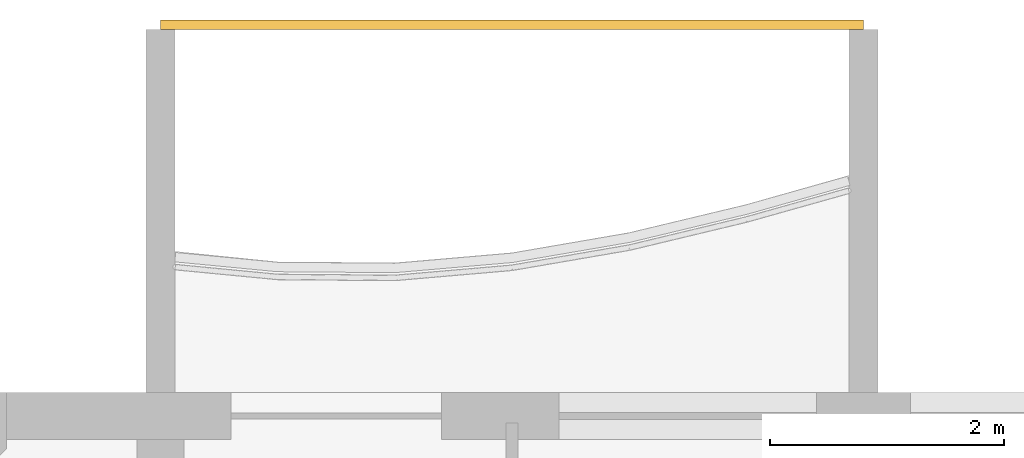
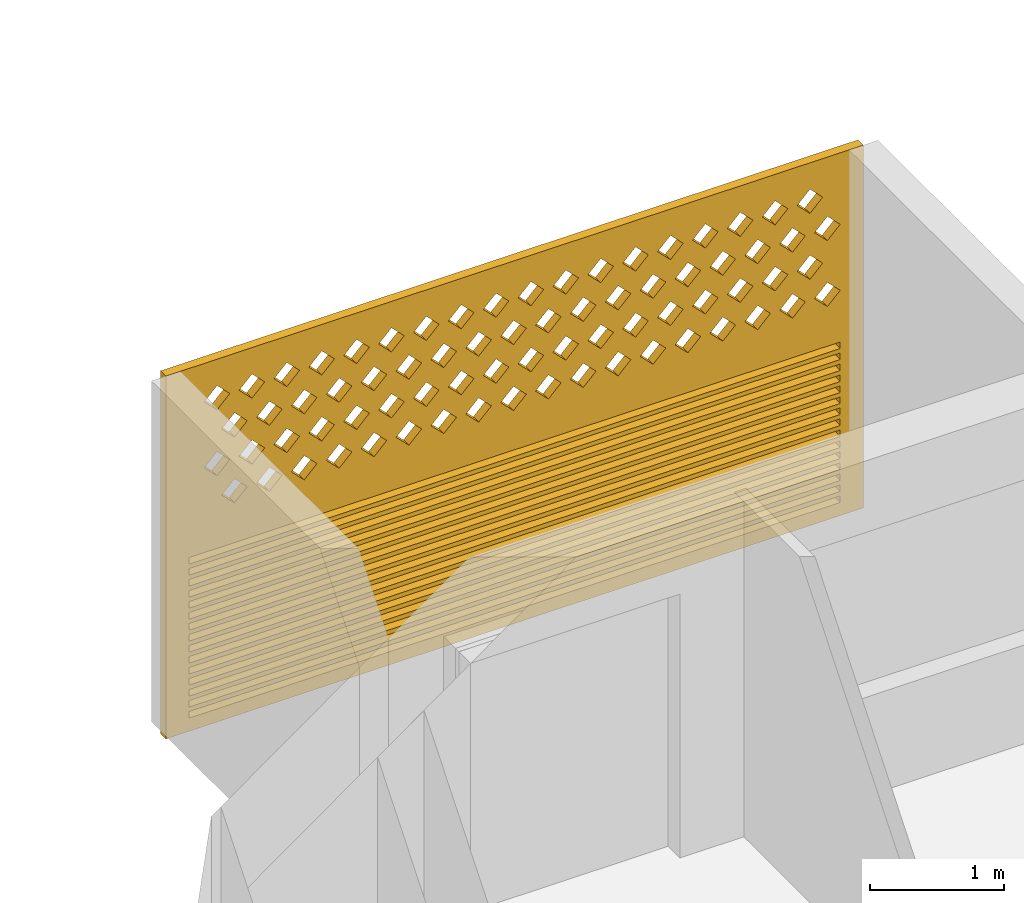
# One storey, part 21 of 38: 1 covering.
"""IFC4 building model written with IfcOpenShell, lengths in metres."""

from ifc_helpers import new_model, si_unit, direction, frame, origin, place, context, subcontext, project, spatial, polyline, outline, extrude, source, transform, mapped, material, material_profile, profile_set, type_object, element, save


model = new_model("IFC4")

# Units and contexts
model_context = context("Model", 3, precision=1e-05, world=origin(), true_north=direction((0.0, 1.0)))
body_context = subcontext(model_context, "Body", "Model", "MODEL_VIEW")
ifc_project = project(units=[si_unit("LENGTHUNIT", "METRE"), si_unit("AREAUNIT", "SQUARE_METRE"), si_unit("VOLUMEUNIT", "CUBIC_METRE"), si_unit("PLANEANGLEUNIT", "RADIAN"), si_unit("MASSUNIT", "GRAM", prefix="KILO")], contexts=[model_context])

# Site, building, storey
site_placement = place(None, origin())
site = spatial("IfcSite", under=ifc_project, at=site_placement, CompositionType="ELEMENT")
building_placement = place(site_placement, origin())
building = spatial("IfcBuilding", under=site, at=building_placement, Name="Poui Terraces", CompositionType="ELEMENT")
storey_placement = place(building_placement, frame((0.0, 0.0, 46.5)))
storey = spatial("IfcBuildingStorey", under=building, at=storey_placement, Name="L12", CompositionType="ELEMENT", Elevation=46.5)

# Covering
ifc_material = material(Name="Terracotta screen", Category="masonry")
ifc_material_profile = material_profile(ifc_material, outline(polyline([(-3.0, -1.64990234375), (3.0, -1.64990234375), (3.0, 1.64990234375), (-3.0, 1.64990234375), (-3.0, -1.64990234375)]), holes=[polyline([(-2.800048828125, 0.39990234375), (-2.68994140625, 0.2900390625), (-2.580078125, 0.39990234375), (-2.68994140625, 0.510009765625), (-2.800048828125, 0.39990234375)]), polyline([(-2.5, 0.39990234375), (-2.389892578125, 0.2900390625), (-2.280029296875, 0.39990234375), (-2.389892578125, 0.510009765625), (-2.5, 0.39990234375)]), polyline([(-2.199951171875, 0.39990234375), (-2.090087890625, 0.2900390625), (-1.97998046875, 0.39990234375), (-2.090087890625, 0.510009765625), (-2.199951171875, 0.39990234375)]), polyline([(-1.89990234375, 0.39990234375), (-1.7900390625, 0.2900390625), (-1.679931640625, 0.39990234375), (-1.7900390625, 0.510009765625), (-1.89990234375, 0.39990234375)]), polyline([(-1.60009765625, 0.39990234375), (-1.489990234375, 0.2900390625), (-1.3798828125, 0.39990234375), (-1.489990234375, 0.510009765625), (-1.60009765625, 0.39990234375)]), polyline([(-1.300048828125, 0.39990234375), (-1.18994140625, 0.2900390625), (-1.080078125, 0.39990234375), (-1.18994140625, 0.510009765625), (-1.300048828125, 0.39990234375)]), polyline([(-1.0, 0.39990234375), (-0.889892578125, 0.2900390625), (-0.780029296875, 0.39990234375), (-0.889892578125, 0.510009765625), (-1.0, 0.39990234375)]), polyline([(-0.699951171875, 0.39990234375), (-0.590087890625, 0.2900390625), (-0.47998046875, 0.39990234375), (-0.590087890625, 0.510009765625), (-0.699951171875, 0.39990234375)]), polyline([(-0.39990234375, 0.39990234375), (-0.2900390625, 0.2900390625), (-0.179931640625, 0.39990234375), (-0.2900390625, 0.510009765625), (-0.39990234375, 0.39990234375)]), polyline([(-0.10009765625, 0.39990234375), (0.010009765625, 0.2900390625), (0.1201171875, 0.39990234375), (0.010009765625, 0.510009765625), (-0.10009765625, 0.39990234375)]), polyline([(0.199951171875, 0.39990234375), (0.31005859375, 0.2900390625), (0.419921875, 0.39990234375), (0.31005859375, 0.510009765625), (0.199951171875, 0.39990234375)]), polyline([(0.5, 0.39990234375), (0.610107421875, 0.2900390625), (0.719970703125, 0.39990234375), (0.610107421875, 0.510009765625), (0.5, 0.39990234375)]), polyline([(0.800048828125, 0.39990234375), (0.909912109375, 0.2900390625), (1.02001953125, 0.39990234375), (0.909912109375, 0.510009765625), (0.800048828125, 0.39990234375)]), polyline([(1.10009765625, 0.39990234375), (1.2099609375, 0.2900390625), (1.320068359375, 0.39990234375), (1.2099609375, 0.510009765625), (1.10009765625, 0.39990234375)]), polyline([(1.39990234375, 0.39990234375), (1.510009765625, 0.2900390625), (1.6201171875, 0.39990234375), (1.510009765625, 0.510009765625), (1.39990234375, 0.39990234375)]), polyline([(1.699951171875, 0.39990234375), (1.81005859375, 0.2900390625), (1.919921875, 0.39990234375), (1.81005859375, 0.510009765625), (1.699951171875, 0.39990234375)]), polyline([(2.0, 0.39990234375), (2.110107421875, 0.2900390625), (2.219970703125, 0.39990234375), (2.110107421875, 0.510009765625), (2.0, 0.39990234375)]), polyline([(2.300048828125, 0.39990234375), (2.409912109375, 0.2900390625), (2.52001953125, 0.39990234375), (2.409912109375, 0.510009765625), (2.300048828125, 0.39990234375)]), polyline([(-2.64990234375, 0.699951171875), (-2.5400390625, 0.590087890625), (-2.429931640625, 0.699951171875), (-2.5400390625, 0.81005859375), (-2.64990234375, 0.699951171875)]), polyline([(-2.35009765625, 0.699951171875), (-2.239990234375, 0.590087890625), (-2.1298828125, 0.699951171875), (-2.239990234375, 0.81005859375), (-2.35009765625, 0.699951171875)]), polyline([(-2.050048828125, 0.699951171875), (-1.93994140625, 0.590087890625), (-1.830078125, 0.699951171875), (-1.93994140625, 0.81005859375), (-2.050048828125, 0.699951171875)]), polyline([(-1.75, 0.699951171875), (-1.639892578125, 0.590087890625), (-1.530029296875, 0.699951171875), (-1.639892578125, 0.81005859375), (-1.75, 0.699951171875)]), polyline([(-1.449951171875, 0.699951171875), (-1.340087890625, 0.590087890625), (-1.22998046875, 0.699951171875), (-1.340087890625, 0.81005859375), (-1.449951171875, 0.699951171875)]), polyline([(-1.14990234375, 0.699951171875), (-1.0400390625, 0.590087890625), (-0.929931640625, 0.699951171875), (-1.0400390625, 0.81005859375), (-1.14990234375, 0.699951171875)]), polyline([(-0.85009765625, 0.699951171875), (-0.739990234375, 0.590087890625), (-0.6298828125, 0.699951171875), (-0.739990234375, 0.81005859375), (-0.85009765625, 0.699951171875)]), polyline([(-0.550048828125, 0.699951171875), (-0.43994140625, 0.590087890625), (-0.330078125, 0.699951171875), (-0.43994140625, 0.81005859375), (-0.550048828125, 0.699951171875)]), polyline([(-0.25, 0.699951171875), (-0.139892578125, 0.590087890625), (-0.030029296875, 0.699951171875), (-0.139892578125, 0.81005859375), (-0.25, 0.699951171875)]), polyline([(0.050048828125, 0.699951171875), (0.159912109375, 0.590087890625), (0.27001953125, 0.699951171875), (0.159912109375, 0.81005859375), (0.050048828125, 0.699951171875)]), polyline([(0.35009765625, 0.699951171875), (0.4599609375, 0.590087890625), (0.570068359375, 0.699951171875), (0.4599609375, 0.81005859375), (0.35009765625, 0.699951171875)]), polyline([(0.64990234375, 0.699951171875), (0.760009765625, 0.590087890625), (0.8701171875, 0.699951171875), (0.760009765625, 0.81005859375), (0.64990234375, 0.699951171875)]), polyline([(0.949951171875, 0.699951171875), (1.06005859375, 0.590087890625), (1.169921875, 0.699951171875), (1.06005859375, 0.81005859375), (0.949951171875, 0.699951171875)]), polyline([(1.25, 0.699951171875), (1.360107421875, 0.590087890625), (1.469970703125, 0.699951171875), (1.360107421875, 0.81005859375), (1.25, 0.699951171875)]), polyline([(1.550048828125, 0.699951171875), (1.659912109375, 0.590087890625), (1.77001953125, 0.699951171875), (1.659912109375, 0.81005859375), (1.550048828125, 0.699951171875)]), polyline([(1.85009765625, 0.699951171875), (1.9599609375, 0.590087890625), (2.070068359375, 0.699951171875), (1.9599609375, 0.81005859375), (1.85009765625, 0.699951171875)]), polyline([(2.14990234375, 0.699951171875), (2.260009765625, 0.590087890625), (2.3701171875, 0.699951171875), (2.260009765625, 0.81005859375), (2.14990234375, 0.699951171875)]), polyline([(2.449951171875, 0.699951171875), (2.56005859375, 0.590087890625), (2.669921875, 0.699951171875), (2.56005859375, 0.81005859375), (2.449951171875, 0.699951171875)]), polyline([(-2.800048828125, 1.0), (-2.68994140625, 0.889892578125), (-2.580078125, 1.0), (-2.68994140625, 1.110107421875), (-2.800048828125, 1.0)]), polyline([(-2.5, 1.0), (-2.389892578125, 0.889892578125), (-2.280029296875, 1.0), (-2.389892578125, 1.110107421875), (-2.5, 1.0)]), polyline([(-2.199951171875, 1.0), (-2.090087890625, 0.889892578125), (-1.97998046875, 1.0), (-2.090087890625, 1.110107421875), (-2.199951171875, 1.0)]), polyline([(-1.89990234375, 1.0), (-1.7900390625, 0.889892578125), (-1.679931640625, 1.0), (-1.7900390625, 1.110107421875), (-1.89990234375, 1.0)]), polyline([(-1.60009765625, 1.0), (-1.489990234375, 0.889892578125), (-1.3798828125, 1.0), (-1.489990234375, 1.110107421875), (-1.60009765625, 1.0)]), polyline([(-1.300048828125, 1.0), (-1.18994140625, 0.889892578125), (-1.080078125, 1.0), (-1.18994140625, 1.110107421875), (-1.300048828125, 1.0)]), polyline([(-1.0, 1.0), (-0.889892578125, 0.889892578125), (-0.780029296875, 1.0), (-0.889892578125, 1.110107421875), (-1.0, 1.0)]), polyline([(-0.699951171875, 1.0), (-0.590087890625, 0.889892578125), (-0.47998046875, 1.0), (-0.590087890625, 1.110107421875), (-0.699951171875, 1.0)]), polyline([(-0.39990234375, 1.0), (-0.2900390625, 0.889892578125), (-0.179931640625, 1.0), (-0.2900390625, 1.110107421875), (-0.39990234375, 1.0)]), polyline([(-0.10009765625, 1.0), (0.010009765625, 0.889892578125), (0.1201171875, 1.0), (0.010009765625, 1.110107421875), (-0.10009765625, 1.0)]), polyline([(0.199951171875, 1.0), (0.31005859375, 0.889892578125), (0.419921875, 1.0), (0.31005859375, 1.110107421875), (0.199951171875, 1.0)]), polyline([(0.5, 1.0), (0.610107421875, 0.889892578125), (0.719970703125, 1.0), (0.610107421875, 1.110107421875), (0.5, 1.0)]), polyline([(0.800048828125, 1.0), (0.909912109375, 0.889892578125), (1.02001953125, 1.0), (0.909912109375, 1.110107421875), (0.800048828125, 1.0)]), polyline([(1.10009765625, 1.0), (1.2099609375, 0.889892578125), (1.320068359375, 1.0), (1.2099609375, 1.110107421875), (1.10009765625, 1.0)]), polyline([(1.39990234375, 1.0), (1.510009765625, 0.889892578125), (1.6201171875, 1.0), (1.510009765625, 1.110107421875), (1.39990234375, 1.0)]), polyline([(1.699951171875, 1.0), (1.81005859375, 0.889892578125), (1.919921875, 1.0), (1.81005859375, 1.110107421875), (1.699951171875, 1.0)]), polyline([(2.0, 1.0), (2.110107421875, 0.889892578125), (2.219970703125, 1.0), (2.110107421875, 1.110107421875), (2.0, 1.0)]), polyline([(2.300048828125, 1.0), (2.409912109375, 0.889892578125), (2.52001953125, 1.0), (2.409912109375, 1.110107421875), (2.300048828125, 1.0)]), polyline([(-2.64990234375, 1.300048828125), (-2.5400390625, 1.18994140625), (-2.429931640625, 1.300048828125), (-2.5400390625, 1.409912109375), (-2.64990234375, 1.300048828125)]), polyline([(-2.35009765625, 1.300048828125), (-2.239990234375, 1.18994140625), (-2.1298828125, 1.300048828125), (-2.239990234375, 1.409912109375), (-2.35009765625, 1.300048828125)]), polyline([(-2.050048828125, 1.300048828125), (-1.93994140625, 1.18994140625), (-1.830078125, 1.300048828125), (-1.93994140625, 1.409912109375), (-2.050048828125, 1.300048828125)]), polyline([(-1.75, 1.300048828125), (-1.639892578125, 1.18994140625), (-1.530029296875, 1.300048828125), (-1.639892578125, 1.409912109375), (-1.75, 1.300048828125)]), polyline([(-1.449951171875, 1.300048828125), (-1.340087890625, 1.18994140625), (-1.22998046875, 1.300048828125), (-1.340087890625, 1.409912109375), (-1.449951171875, 1.300048828125)]), polyline([(-1.14990234375, 1.300048828125), (-1.0400390625, 1.18994140625), (-0.929931640625, 1.300048828125), (-1.0400390625, 1.409912109375), (-1.14990234375, 1.300048828125)]), polyline([(-0.85009765625, 1.300048828125), (-0.739990234375, 1.18994140625), (-0.6298828125, 1.300048828125), (-0.739990234375, 1.409912109375), (-0.85009765625, 1.300048828125)]), polyline([(-0.550048828125, 1.300048828125), (-0.43994140625, 1.18994140625), (-0.330078125, 1.300048828125), (-0.43994140625, 1.409912109375), (-0.550048828125, 1.300048828125)]), polyline([(-0.25, 1.300048828125), (-0.139892578125, 1.18994140625), (-0.030029296875, 1.300048828125), (-0.139892578125, 1.409912109375), (-0.25, 1.300048828125)]), polyline([(0.050048828125, 1.300048828125), (0.159912109375, 1.18994140625), (0.27001953125, 1.300048828125), (0.159912109375, 1.409912109375), (0.050048828125, 1.300048828125)]), polyline([(0.35009765625, 1.300048828125), (0.4599609375, 1.18994140625), (0.570068359375, 1.300048828125), (0.4599609375, 1.409912109375), (0.35009765625, 1.300048828125)]), polyline([(0.64990234375, 1.300048828125), (0.760009765625, 1.18994140625), (0.8701171875, 1.300048828125), (0.760009765625, 1.409912109375), (0.64990234375, 1.300048828125)]), polyline([(0.949951171875, 1.300048828125), (1.06005859375, 1.18994140625), (1.169921875, 1.300048828125), (1.06005859375, 1.409912109375), (0.949951171875, 1.300048828125)]), polyline([(1.25, 1.300048828125), (1.360107421875, 1.18994140625), (1.469970703125, 1.300048828125), (1.360107421875, 1.409912109375), (1.25, 1.300048828125)]), polyline([(1.550048828125, 1.300048828125), (1.659912109375, 1.18994140625), (1.77001953125, 1.300048828125), (1.659912109375, 1.409912109375), (1.550048828125, 1.300048828125)]), polyline([(1.85009765625, 1.300048828125), (1.9599609375, 1.18994140625), (2.070068359375, 1.300048828125), (1.9599609375, 1.409912109375), (1.85009765625, 1.300048828125)]), polyline([(2.14990234375, 1.300048828125), (2.260009765625, 1.18994140625), (2.3701171875, 1.300048828125), (2.260009765625, 1.409912109375), (2.14990234375, 1.300048828125)]), polyline([(2.449951171875, 1.300048828125), (2.56005859375, 1.18994140625), (2.669921875, 1.300048828125), (2.56005859375, 1.409912109375), (2.449951171875, 1.300048828125)]), polyline([(-2.800048828125, -1.530029296875), (2.800048828125, -1.530029296875), (2.800048828125, -1.469970703125), (-2.800048828125, -1.469970703125), (-2.800048828125, -1.530029296875)]), polyline([(-2.800048828125, -1.429931640625), (2.800048828125, -1.429931640625), (2.800048828125, -1.3701171875), (-2.800048828125, -1.3701171875), (-2.800048828125, -1.429931640625)]), polyline([(-2.800048828125, -1.330078125), (2.800048828125, -1.330078125), (2.800048828125, -1.27001953125), (-2.800048828125, -1.27001953125), (-2.800048828125, -1.330078125)]), polyline([(-2.800048828125, -1.22998046875), (2.800048828125, -1.22998046875), (2.800048828125, -1.169921875), (-2.800048828125, -1.169921875), (-2.800048828125, -1.22998046875)]), polyline([(-2.800048828125, -1.1298828125), (2.800048828125, -1.1298828125), (2.800048828125, -1.070068359375), (-2.800048828125, -1.070068359375), (-2.800048828125, -1.1298828125)]), polyline([(-2.800048828125, -1.030029296875), (2.800048828125, -1.030029296875), (2.800048828125, -0.969970703125), (-2.800048828125, -0.969970703125), (-2.800048828125, -1.030029296875)]), polyline([(-2.800048828125, -0.929931640625), (2.800048828125, -0.929931640625), (2.800048828125, -0.8701171875), (-2.800048828125, -0.8701171875), (-2.800048828125, -0.929931640625)]), polyline([(-2.800048828125, -0.830078125), (2.800048828125, -0.830078125), (2.800048828125, -0.77001953125), (-2.800048828125, -0.77001953125), (-2.800048828125, -0.830078125)]), polyline([(-2.800048828125, -0.72998046875), (2.800048828125, -0.72998046875), (2.800048828125, -0.669921875), (-2.800048828125, -0.669921875), (-2.800048828125, -0.72998046875)]), polyline([(-2.800048828125, -0.6298828125), (2.800048828125, -0.6298828125), (2.800048828125, -0.570068359375), (-2.800048828125, -0.570068359375), (-2.800048828125, -0.6298828125)]), polyline([(-2.800048828125, -0.530029296875), (2.800048828125, -0.530029296875), (2.800048828125, -0.469970703125), (-2.800048828125, -0.469970703125), (-2.800048828125, -0.530029296875)]), polyline([(-2.800048828125, -0.429931640625), (2.800048828125, -0.429931640625), (2.800048828125, -0.3701171875), (-2.800048828125, -0.3701171875), (-2.800048828125, -0.429931640625)]), polyline([(-2.800048828125, -0.330078125), (2.800048828125, -0.330078125), (2.800048828125, -0.27001953125), (-2.800048828125, -0.27001953125), (-2.800048828125, -0.330078125)]), polyline([(-2.800048828125, -0.22998046875), (2.800048828125, -0.22998046875), (2.800048828125, -0.169921875), (-2.800048828125, -0.169921875), (-2.800048828125, -0.22998046875)]), polyline([(-2.800048828125, -0.1298828125), (2.800048828125, -0.1298828125), (2.800048828125, -0.070068359375), (-2.800048828125, -0.070068359375), (-2.800048828125, -0.1298828125)])]), Name="TERRACOTTA SCREEN AND JALOUSIE LOUVRE 6000X3300")
ifc_profile_set = profile_set([ifc_material_profile], Name="Terracotta screen")
covering_type = type_object("IfcCoveringType", Name="TERRACOTTA SCREEN AND JALOUSIE LOUVRE 6000X3300", PredefinedType="CLADDING", material=ifc_profile_set)
shared_shape = source(origin(), body_context, "Body", "SweptSolid", [
    extrude(outline(polyline([(-3.0, -1.64990234375), (3.0, -1.64990234375), (3.0, 1.64990234375), (-3.0, 1.64990234375), (-3.0, -1.64990234375)]), holes=[polyline([(-2.800048828125, 0.39990234375), (-2.68994140625, 0.2900390625), (-2.580078125, 0.39990234375), (-2.68994140625, 0.510009765625), (-2.800048828125, 0.39990234375)]), polyline([(-2.5, 0.39990234375), (-2.389892578125, 0.2900390625), (-2.280029296875, 0.39990234375), (-2.389892578125, 0.510009765625), (-2.5, 0.39990234375)]), polyline([(-2.199951171875, 0.39990234375), (-2.090087890625, 0.2900390625), (-1.97998046875, 0.39990234375), (-2.090087890625, 0.510009765625), (-2.199951171875, 0.39990234375)]), polyline([(-1.89990234375, 0.39990234375), (-1.7900390625, 0.2900390625), (-1.679931640625, 0.39990234375), (-1.7900390625, 0.510009765625), (-1.89990234375, 0.39990234375)]), polyline([(-1.60009765625, 0.39990234375), (-1.489990234375, 0.2900390625), (-1.3798828125, 0.39990234375), (-1.489990234375, 0.510009765625), (-1.60009765625, 0.39990234375)]), polyline([(-1.300048828125, 0.39990234375), (-1.18994140625, 0.2900390625), (-1.080078125, 0.39990234375), (-1.18994140625, 0.510009765625), (-1.300048828125, 0.39990234375)]), polyline([(-1.0, 0.39990234375), (-0.889892578125, 0.2900390625), (-0.780029296875, 0.39990234375), (-0.889892578125, 0.510009765625), (-1.0, 0.39990234375)]), polyline([(-0.699951171875, 0.39990234375), (-0.590087890625, 0.2900390625), (-0.47998046875, 0.39990234375), (-0.590087890625, 0.510009765625), (-0.699951171875, 0.39990234375)]), polyline([(-0.39990234375, 0.39990234375), (-0.2900390625, 0.2900390625), (-0.179931640625, 0.39990234375), (-0.2900390625, 0.510009765625), (-0.39990234375, 0.39990234375)]), polyline([(-0.10009765625, 0.39990234375), (0.010009765625, 0.2900390625), (0.1201171875, 0.39990234375), (0.010009765625, 0.510009765625), (-0.10009765625, 0.39990234375)]), polyline([(0.199951171875, 0.39990234375), (0.31005859375, 0.2900390625), (0.419921875, 0.39990234375), (0.31005859375, 0.510009765625), (0.199951171875, 0.39990234375)]), polyline([(0.5, 0.39990234375), (0.610107421875, 0.2900390625), (0.719970703125, 0.39990234375), (0.610107421875, 0.510009765625), (0.5, 0.39990234375)]), polyline([(0.800048828125, 0.39990234375), (0.909912109375, 0.2900390625), (1.02001953125, 0.39990234375), (0.909912109375, 0.510009765625), (0.800048828125, 0.39990234375)]), polyline([(1.10009765625, 0.39990234375), (1.2099609375, 0.2900390625), (1.320068359375, 0.39990234375), (1.2099609375, 0.510009765625), (1.10009765625, 0.39990234375)]), polyline([(1.39990234375, 0.39990234375), (1.510009765625, 0.2900390625), (1.6201171875, 0.39990234375), (1.510009765625, 0.510009765625), (1.39990234375, 0.39990234375)]), polyline([(1.699951171875, 0.39990234375), (1.81005859375, 0.2900390625), (1.919921875, 0.39990234375), (1.81005859375, 0.510009765625), (1.699951171875, 0.39990234375)]), polyline([(2.0, 0.39990234375), (2.110107421875, 0.2900390625), (2.219970703125, 0.39990234375), (2.110107421875, 0.510009765625), (2.0, 0.39990234375)]), polyline([(2.300048828125, 0.39990234375), (2.409912109375, 0.2900390625), (2.52001953125, 0.39990234375), (2.409912109375, 0.510009765625), (2.300048828125, 0.39990234375)]), polyline([(-2.64990234375, 0.699951171875), (-2.5400390625, 0.590087890625), (-2.429931640625, 0.699951171875), (-2.5400390625, 0.81005859375), (-2.64990234375, 0.699951171875)]), polyline([(-2.35009765625, 0.699951171875), (-2.239990234375, 0.590087890625), (-2.1298828125, 0.699951171875), (-2.239990234375, 0.81005859375), (-2.35009765625, 0.699951171875)]), polyline([(-2.050048828125, 0.699951171875), (-1.93994140625, 0.590087890625), (-1.830078125, 0.699951171875), (-1.93994140625, 0.81005859375), (-2.050048828125, 0.699951171875)]), polyline([(-1.75, 0.699951171875), (-1.639892578125, 0.590087890625), (-1.530029296875, 0.699951171875), (-1.639892578125, 0.81005859375), (-1.75, 0.699951171875)]), polyline([(-1.449951171875, 0.699951171875), (-1.340087890625, 0.590087890625), (-1.22998046875, 0.699951171875), (-1.340087890625, 0.81005859375), (-1.449951171875, 0.699951171875)]), polyline([(-1.14990234375, 0.699951171875), (-1.0400390625, 0.590087890625), (-0.929931640625, 0.699951171875), (-1.0400390625, 0.81005859375), (-1.14990234375, 0.699951171875)]), polyline([(-0.85009765625, 0.699951171875), (-0.739990234375, 0.590087890625), (-0.6298828125, 0.699951171875), (-0.739990234375, 0.81005859375), (-0.85009765625, 0.699951171875)]), polyline([(-0.550048828125, 0.699951171875), (-0.43994140625, 0.590087890625), (-0.330078125, 0.699951171875), (-0.43994140625, 0.81005859375), (-0.550048828125, 0.699951171875)]), polyline([(-0.25, 0.699951171875), (-0.139892578125, 0.590087890625), (-0.030029296875, 0.699951171875), (-0.139892578125, 0.81005859375), (-0.25, 0.699951171875)]), polyline([(0.050048828125, 0.699951171875), (0.159912109375, 0.590087890625), (0.27001953125, 0.699951171875), (0.159912109375, 0.81005859375), (0.050048828125, 0.699951171875)]), polyline([(0.35009765625, 0.699951171875), (0.4599609375, 0.590087890625), (0.570068359375, 0.699951171875), (0.4599609375, 0.81005859375), (0.35009765625, 0.699951171875)]), polyline([(0.64990234375, 0.699951171875), (0.760009765625, 0.590087890625), (0.8701171875, 0.699951171875), (0.760009765625, 0.81005859375), (0.64990234375, 0.699951171875)]), polyline([(0.949951171875, 0.699951171875), (1.06005859375, 0.590087890625), (1.169921875, 0.699951171875), (1.06005859375, 0.81005859375), (0.949951171875, 0.699951171875)]), polyline([(1.25, 0.699951171875), (1.360107421875, 0.590087890625), (1.469970703125, 0.699951171875), (1.360107421875, 0.81005859375), (1.25, 0.699951171875)]), polyline([(1.550048828125, 0.699951171875), (1.659912109375, 0.590087890625), (1.77001953125, 0.699951171875), (1.659912109375, 0.81005859375), (1.550048828125, 0.699951171875)]), polyline([(1.85009765625, 0.699951171875), (1.9599609375, 0.590087890625), (2.070068359375, 0.699951171875), (1.9599609375, 0.81005859375), (1.85009765625, 0.699951171875)]), polyline([(2.14990234375, 0.699951171875), (2.260009765625, 0.590087890625), (2.3701171875, 0.699951171875), (2.260009765625, 0.81005859375), (2.14990234375, 0.699951171875)]), polyline([(2.449951171875, 0.699951171875), (2.56005859375, 0.590087890625), (2.669921875, 0.699951171875), (2.56005859375, 0.81005859375), (2.449951171875, 0.699951171875)]), polyline([(-2.800048828125, 1.0), (-2.68994140625, 0.889892578125), (-2.580078125, 1.0), (-2.68994140625, 1.110107421875), (-2.800048828125, 1.0)]), polyline([(-2.5, 1.0), (-2.389892578125, 0.889892578125), (-2.280029296875, 1.0), (-2.389892578125, 1.110107421875), (-2.5, 1.0)]), polyline([(-2.199951171875, 1.0), (-2.090087890625, 0.889892578125), (-1.97998046875, 1.0), (-2.090087890625, 1.110107421875), (-2.199951171875, 1.0)]), polyline([(-1.89990234375, 1.0), (-1.7900390625, 0.889892578125), (-1.679931640625, 1.0), (-1.7900390625, 1.110107421875), (-1.89990234375, 1.0)]), polyline([(-1.60009765625, 1.0), (-1.489990234375, 0.889892578125), (-1.3798828125, 1.0), (-1.489990234375, 1.110107421875), (-1.60009765625, 1.0)]), polyline([(-1.300048828125, 1.0), (-1.18994140625, 0.889892578125), (-1.080078125, 1.0), (-1.18994140625, 1.110107421875), (-1.300048828125, 1.0)]), polyline([(-1.0, 1.0), (-0.889892578125, 0.889892578125), (-0.780029296875, 1.0), (-0.889892578125, 1.110107421875), (-1.0, 1.0)]), polyline([(-0.699951171875, 1.0), (-0.590087890625, 0.889892578125), (-0.47998046875, 1.0), (-0.590087890625, 1.110107421875), (-0.699951171875, 1.0)]), polyline([(-0.39990234375, 1.0), (-0.2900390625, 0.889892578125), (-0.179931640625, 1.0), (-0.2900390625, 1.110107421875), (-0.39990234375, 1.0)]), polyline([(-0.10009765625, 1.0), (0.010009765625, 0.889892578125), (0.1201171875, 1.0), (0.010009765625, 1.110107421875), (-0.10009765625, 1.0)]), polyline([(0.199951171875, 1.0), (0.31005859375, 0.889892578125), (0.419921875, 1.0), (0.31005859375, 1.110107421875), (0.199951171875, 1.0)]), polyline([(0.5, 1.0), (0.610107421875, 0.889892578125), (0.719970703125, 1.0), (0.610107421875, 1.110107421875), (0.5, 1.0)]), polyline([(0.800048828125, 1.0), (0.909912109375, 0.889892578125), (1.02001953125, 1.0), (0.909912109375, 1.110107421875), (0.800048828125, 1.0)]), polyline([(1.10009765625, 1.0), (1.2099609375, 0.889892578125), (1.320068359375, 1.0), (1.2099609375, 1.110107421875), (1.10009765625, 1.0)]), polyline([(1.39990234375, 1.0), (1.510009765625, 0.889892578125), (1.6201171875, 1.0), (1.510009765625, 1.110107421875), (1.39990234375, 1.0)]), polyline([(1.699951171875, 1.0), (1.81005859375, 0.889892578125), (1.919921875, 1.0), (1.81005859375, 1.110107421875), (1.699951171875, 1.0)]), polyline([(2.0, 1.0), (2.110107421875, 0.889892578125), (2.219970703125, 1.0), (2.110107421875, 1.110107421875), (2.0, 1.0)]), polyline([(2.300048828125, 1.0), (2.409912109375, 0.889892578125), (2.52001953125, 1.0), (2.409912109375, 1.110107421875), (2.300048828125, 1.0)]), polyline([(-2.64990234375, 1.300048828125), (-2.5400390625, 1.18994140625), (-2.429931640625, 1.300048828125), (-2.5400390625, 1.409912109375), (-2.64990234375, 1.300048828125)]), polyline([(-2.35009765625, 1.300048828125), (-2.239990234375, 1.18994140625), (-2.1298828125, 1.300048828125), (-2.239990234375, 1.409912109375), (-2.35009765625, 1.300048828125)]), polyline([(-2.050048828125, 1.300048828125), (-1.93994140625, 1.18994140625), (-1.830078125, 1.300048828125), (-1.93994140625, 1.409912109375), (-2.050048828125, 1.300048828125)]), polyline([(-1.75, 1.300048828125), (-1.639892578125, 1.18994140625), (-1.530029296875, 1.300048828125), (-1.639892578125, 1.409912109375), (-1.75, 1.300048828125)]), polyline([(-1.449951171875, 1.300048828125), (-1.340087890625, 1.18994140625), (-1.22998046875, 1.300048828125), (-1.340087890625, 1.409912109375), (-1.449951171875, 1.300048828125)]), polyline([(-1.14990234375, 1.300048828125), (-1.0400390625, 1.18994140625), (-0.929931640625, 1.300048828125), (-1.0400390625, 1.409912109375), (-1.14990234375, 1.300048828125)]), polyline([(-0.85009765625, 1.300048828125), (-0.739990234375, 1.18994140625), (-0.6298828125, 1.300048828125), (-0.739990234375, 1.409912109375), (-0.85009765625, 1.300048828125)]), polyline([(-0.550048828125, 1.300048828125), (-0.43994140625, 1.18994140625), (-0.330078125, 1.300048828125), (-0.43994140625, 1.409912109375), (-0.550048828125, 1.300048828125)]), polyline([(-0.25, 1.300048828125), (-0.139892578125, 1.18994140625), (-0.030029296875, 1.300048828125), (-0.139892578125, 1.409912109375), (-0.25, 1.300048828125)]), polyline([(0.050048828125, 1.300048828125), (0.159912109375, 1.18994140625), (0.27001953125, 1.300048828125), (0.159912109375, 1.409912109375), (0.050048828125, 1.300048828125)]), polyline([(0.35009765625, 1.300048828125), (0.4599609375, 1.18994140625), (0.570068359375, 1.300048828125), (0.4599609375, 1.409912109375), (0.35009765625, 1.300048828125)]), polyline([(0.64990234375, 1.300048828125), (0.760009765625, 1.18994140625), (0.8701171875, 1.300048828125), (0.760009765625, 1.409912109375), (0.64990234375, 1.300048828125)]), polyline([(0.949951171875, 1.300048828125), (1.06005859375, 1.18994140625), (1.169921875, 1.300048828125), (1.06005859375, 1.409912109375), (0.949951171875, 1.300048828125)]), polyline([(1.25, 1.300048828125), (1.360107421875, 1.18994140625), (1.469970703125, 1.300048828125), (1.360107421875, 1.409912109375), (1.25, 1.300048828125)]), polyline([(1.550048828125, 1.300048828125), (1.659912109375, 1.18994140625), (1.77001953125, 1.300048828125), (1.659912109375, 1.409912109375), (1.550048828125, 1.300048828125)]), polyline([(1.85009765625, 1.300048828125), (1.9599609375, 1.18994140625), (2.070068359375, 1.300048828125), (1.9599609375, 1.409912109375), (1.85009765625, 1.300048828125)]), polyline([(2.14990234375, 1.300048828125), (2.260009765625, 1.18994140625), (2.3701171875, 1.300048828125), (2.260009765625, 1.409912109375), (2.14990234375, 1.300048828125)]), polyline([(2.449951171875, 1.300048828125), (2.56005859375, 1.18994140625), (2.669921875, 1.300048828125), (2.56005859375, 1.409912109375), (2.449951171875, 1.300048828125)]), polyline([(-2.800048828125, -1.530029296875), (2.800048828125, -1.530029296875), (2.800048828125, -1.469970703125), (-2.800048828125, -1.469970703125), (-2.800048828125, -1.530029296875)]), polyline([(-2.800048828125, -1.429931640625), (2.800048828125, -1.429931640625), (2.800048828125, -1.3701171875), (-2.800048828125, -1.3701171875), (-2.800048828125, -1.429931640625)]), polyline([(-2.800048828125, -1.330078125), (2.800048828125, -1.330078125), (2.800048828125, -1.27001953125), (-2.800048828125, -1.27001953125), (-2.800048828125, -1.330078125)]), polyline([(-2.800048828125, -1.22998046875), (2.800048828125, -1.22998046875), (2.800048828125, -1.169921875), (-2.800048828125, -1.169921875), (-2.800048828125, -1.22998046875)]), polyline([(-2.800048828125, -1.1298828125), (2.800048828125, -1.1298828125), (2.800048828125, -1.070068359375), (-2.800048828125, -1.070068359375), (-2.800048828125, -1.1298828125)]), polyline([(-2.800048828125, -1.030029296875), (2.800048828125, -1.030029296875), (2.800048828125, -0.969970703125), (-2.800048828125, -0.969970703125), (-2.800048828125, -1.030029296875)]), polyline([(-2.800048828125, -0.929931640625), (2.800048828125, -0.929931640625), (2.800048828125, -0.8701171875), (-2.800048828125, -0.8701171875), (-2.800048828125, -0.929931640625)]), polyline([(-2.800048828125, -0.830078125), (2.800048828125, -0.830078125), (2.800048828125, -0.77001953125), (-2.800048828125, -0.77001953125), (-2.800048828125, -0.830078125)]), polyline([(-2.800048828125, -0.72998046875), (2.800048828125, -0.72998046875), (2.800048828125, -0.669921875), (-2.800048828125, -0.669921875), (-2.800048828125, -0.72998046875)]), polyline([(-2.800048828125, -0.6298828125), (2.800048828125, -0.6298828125), (2.800048828125, -0.570068359375), (-2.800048828125, -0.570068359375), (-2.800048828125, -0.6298828125)]), polyline([(-2.800048828125, -0.530029296875), (2.800048828125, -0.530029296875), (2.800048828125, -0.469970703125), (-2.800048828125, -0.469970703125), (-2.800048828125, -0.530029296875)]), polyline([(-2.800048828125, -0.429931640625), (2.800048828125, -0.429931640625), (2.800048828125, -0.3701171875), (-2.800048828125, -0.3701171875), (-2.800048828125, -0.429931640625)]), polyline([(-2.800048828125, -0.330078125), (2.800048828125, -0.330078125), (2.800048828125, -0.27001953125), (-2.800048828125, -0.27001953125), (-2.800048828125, -0.330078125)]), polyline([(-2.800048828125, -0.22998046875), (2.800048828125, -0.22998046875), (2.800048828125, -0.169921875), (-2.800048828125, -0.169921875), (-2.800048828125, -0.22998046875)]), polyline([(-2.800048828125, -0.1298828125), (2.800048828125, -0.1298828125), (2.800048828125, -0.070068359375), (-2.800048828125, -0.070068359375), (-2.800048828125, -0.1298828125)])]), origin(), (0.0, 0.0, 1.0), 0.079833984375),
])
covering_placement = place(storey_placement, frame((9.0, 48.10009765625, 1.449951171875), z_axis=(0.0, 1.0, 0.0), x_axis=(-1.0, 0.0, 0.0)))
element("IfcCovering", 1, at=covering_placement, inside=storey, type_object=covering_type, Name="SOLAR SCREEN AND JALOUSIE LOUVRE", PredefinedType="CLADDING", context=body_context, shape_type="MappedRepresentation", body=[
    mapped(shared_shape, transform((0.0, 0.0, 0.0))),
])

save(model, "model.ifc")
